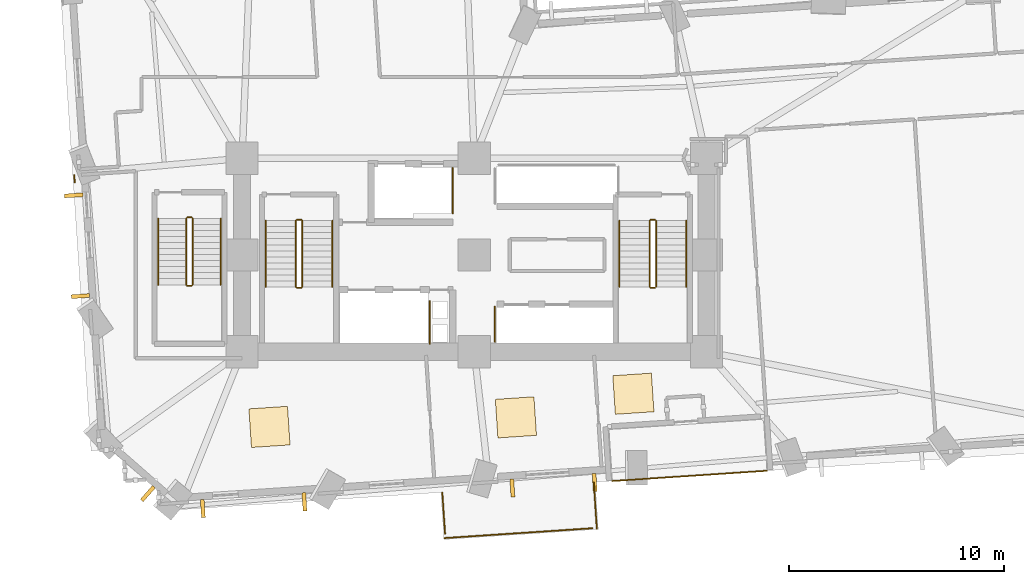
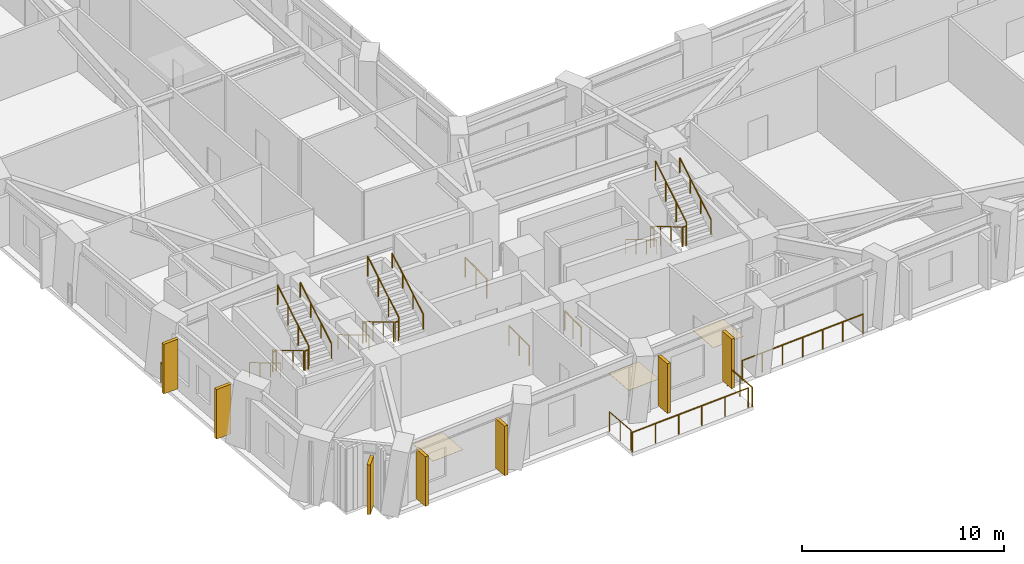
# One storey, part 11 of 14: 26 railings, 7 shading devices, 3 coverings.
"""IFC4 building model written with IfcOpenShell, lengths in metres."""

from ifc_helpers import new_model, si_unit, direction, frame, origin, origin_2d, place, context, subcontext, project, spatial, rectangle, circle, extrude, material, layer, layer_set, type_object, element, save


model = new_model("IFC4")

# Units and contexts
model_context = context("Model", 3, precision=1e-05, world=origin(), true_north=direction((0.0, 1.0)))
body_context = subcontext(model_context, "Body", "Model", "MODEL_VIEW")
ifc_project = project(units=[si_unit("LENGTHUNIT", "METRE"), si_unit("AREAUNIT", "SQUARE_METRE"), si_unit("VOLUMEUNIT", "CUBIC_METRE"), si_unit("PLANEANGLEUNIT", "RADIAN"), si_unit("MASSUNIT", "GRAM", prefix="KILO")], contexts=[model_context])

# Site, building, storey
site_placement = place(None, origin())
site = spatial("IfcSite", under=ifc_project, at=site_placement, CompositionType="ELEMENT")
building_placement = place(site_placement, origin())
building = spatial("IfcBuilding", under=site, at=building_placement, Name="Gaonmaruhae Medical Tower", CompositionType="ELEMENT")
storey_placement = place(building_placement, frame((0.0, 0.0, 39.0)))
storey = spatial("IfcBuildingStorey", under=building, at=storey_placement, Name="L08", CompositionType="ELEMENT", Elevation=39.0)

# Coverings
ifc_material_1 = material(Name="Seamless clinical vinyl flooring", Category="finish")
ifc_layer_1 = layer(ifc_material_1, 0.014892578125)
ifc_layer_set_1 = layer_set([ifc_layer_1], Name="Seamless clinical vinyl flooring")
covering_type = type_object("IfcCoveringType", Name="FLR-01 Seamless Clinical Antistatic Vinyl Flooring", PredefinedType="FLOORING", material=ifc_layer_set_1)
for number, where, z_axis, x_axis, name in (
    (1, (15.272705078125, 4.309326171875, 0.0), (0.0, 0.0, 1.0), (0.997801468292, 0.0662739004, 0.0), "L08 Clinical Room Vinyl Flooring 2"),
    (2, (26.7333984375, 4.752685546875, 0.0), (0.0, 0.0, 1.0), (0.997801468292, 0.0662739004, 0.0), "L08 Clinical Room Vinyl Flooring 3"),
    (3, (32.1962890625, 5.851806640625, 0.0), (0.0, 0.0, 1.0), (0.997801468292, 0.0662739004, 0.0), "L08 Clinical Room Vinyl Flooring 4"),
):
    element("IfcCovering", number, at=place(storey_placement, frame(where, z_axis=z_axis, x_axis=x_axis)), inside=storey, type_object=covering_type, Name=name, PredefinedType="FLOORING", context=body_context, shape_type="SweptSolid", body=[
        extrude(rectangle(XDim=1.800048828125, YDim=1.800048828125, at=origin_2d()), origin(), (0.0, 0.0, 1.0), 0.014892578125),
    ])

# Railings
ifc_material_2 = material(Name="Stainless steel 316L and laminated safety glass", Category="steel")
ifc_layer_2 = layer(ifc_material_2, 0.080078125)
ifc_layer_set_2 = layer_set([ifc_layer_2], Name="Stainless steel 316L and laminated safety glass")
railing_type_1 = type_object("IfcRailingType", Name="GD-120 Outdoor Terrace Safety Glass & Steel Balustrade", PredefinedType="BALUSTRADE", material=ifc_layer_set_2)
railing_1_placement = place(storey_placement, frame((31.22265625, 1.7919921875, 0.0)))
element("IfcRailing", 4, at=railing_1_placement, inside=storey, type_object=railing_type_1, Name="L08 Terrace Safety Guard RL-SLB-L08-TER-01", PredefinedType="BALUSTRADE", context=body_context, shape_type="SweptSolid", body=[
    extrude(circle(Radius=0.02392578125, at=origin_2d()), frame((0.0, 0.0, 1.17578125), z_axis=(0.997802528257, 0.066257939924, 0.0), x_axis=(-0.066257939924, 0.997802528257, 0.0)), (0.0, 0.0, 1.0), 7.199951171875),
    extrude(circle(Radius=0.02099609375, at=origin_2d()), origin(), (0.0, 0.0, 1.0), 1.15185546875),
    extrude(circle(Radius=0.02099609375, at=origin_2d()), frame((1.197265625, 0.07958984375, 0.0)), (0.0, 0.0, 1.0), 1.15185546875),
    extrude(circle(Radius=0.02099609375, at=origin_2d()), frame((2.394775390625, 0.158935546875, 0.0)), (0.0, 0.0, 1.0), 1.15185546875),
    extrude(circle(Radius=0.02099609375, at=origin_2d()), frame((3.592041015625, 0.238525390625, 0.0)), (0.0, 0.0, 1.0), 1.15185546875),
    extrude(circle(Radius=0.02099609375, at=origin_2d()), frame((4.789306640625, 0.318115234375, 0.0)), (0.0, 0.0, 1.0), 1.15185546875),
    extrude(circle(Radius=0.02099609375, at=origin_2d()), frame((5.98681640625, 0.3974609375, 0.0)), (0.0, 0.0, 1.0), 1.15185546875),
    extrude(circle(Radius=0.02099609375, at=origin_2d()), frame((7.18408203125, 0.47705078125, 0.0)), (0.0, 0.0, 1.0), 1.15185546875),
])
railing_2_placement = place(storey_placement, frame((6.214599609375, 15.67333984375, 0.0)))
element("IfcRailing", 5, at=railing_2_placement, inside=storey, type_object=railing_type_1, Name="L08 Perimeter Slab Edge Safety Balustrade 01", PredefinedType="BALUSTRADE", context=body_context, shape_type="SweptSolid", body=[
    extrude(circle(Radius=0.02392578125, at=origin_2d()), frame((0.0, 0.0, 1.17578125), z_axis=(-0.06608989052, 0.997813673173, 0.0), x_axis=(-0.997813673173, -0.06608989052, 0.0)), (0.0, 0.0, 1.0), 0.33984375),
    extrude(circle(Radius=0.02099609375, at=origin_2d()), origin(), (0.0, 0.0, 1.0), 1.15185546875),
    extrude(circle(Radius=0.02099609375, at=origin_2d()), frame((-0.0224609375, 0.339111328125, 0.0)), (0.0, 0.0, 1.0), 1.15185546875),
])
railing_3_placement = place(storey_placement, frame((30.35595703125, 1.714111328125, 0.0)))
element("IfcRailing", 6, at=railing_3_placement, inside=storey, type_object=railing_type_1, Name="L08 Perimeter Slab Edge Safety Balustrade 07", PredefinedType="BALUSTRADE", context=body_context, shape_type="SweptSolid", body=[
    extrude(circle(Radius=0.02392578125, at=origin_2d()), frame((0.0, 0.0, 1.17578125), z_axis=(0.066241409846, -0.997803625781, 0.0), x_axis=(0.997803625781, 0.066241409846, 0.0)), (0.0, 0.0, 1.0), 2.15966796875),
    extrude(circle(Radius=0.02099609375, at=origin_2d()), origin(), (0.0, 0.0, 1.0), 1.15185546875),
    extrude(circle(Radius=0.02099609375, at=origin_2d()), frame((0.071533203125, -1.07763671875, 0.0)), (0.0, 0.0, 1.0), 1.15185546875),
    extrude(circle(Radius=0.02099609375, at=origin_2d()), frame((0.14306640625, -2.155029296875, 0.0)), (0.0, 0.0, 1.0), 1.15185546875),
])
railing_4_placement = place(storey_placement, frame((30.294921875, -0.404296875, 0.0)))
element("IfcRailing", 7, at=railing_4_placement, inside=storey, type_object=railing_type_1, Name="L08 Perimeter Slab Edge Safety Balustrade 08", PredefinedType="BALUSTRADE", context=body_context, shape_type="SweptSolid", body=[
    extrude(circle(Radius=0.02392578125, at=origin_2d()), frame((0.0, 0.0, 1.17578125), z_axis=(-0.997800143229, -0.06629384717, 0.0), x_axis=(0.06629384717, -0.997800143229, 0.0)), (0.0, 0.0, 1.0), 6.90869140625),
    extrude(circle(Radius=0.02099609375, at=origin_2d()), origin(), (0.0, 0.0, 1.0), 1.15185546875),
    extrude(circle(Radius=0.02099609375, at=origin_2d()), frame((-1.378662109375, -0.091552734375, 0.0)), (0.0, 0.0, 1.0), 1.15185546875),
    extrude(circle(Radius=0.02099609375, at=origin_2d()), frame((-2.75732421875, -0.18310546875, 0.0)), (0.0, 0.0, 1.0), 1.15185546875),
    extrude(circle(Radius=0.02099609375, at=origin_2d()), frame((-4.13623046875, -0.27490234375, 0.0)), (0.0, 0.0, 1.0), 1.15185546875),
    extrude(circle(Radius=0.02099609375, at=origin_2d()), frame((-5.514892578125, -0.366455078125, 0.0)), (0.0, 0.0, 1.0), 1.15185546875),
    extrude(circle(Radius=0.02099609375, at=origin_2d()), frame((-6.8935546875, -0.4580078125, 0.0)), (0.0, 0.0, 1.0), 1.15185546875),
])
railing_5_placement = place(storey_placement, frame((23.438720703125, -0.6708984375, 0.0)))
element("IfcRailing", 8, at=railing_5_placement, inside=storey, type_object=railing_type_1, Name="L08 Perimeter Slab Edge Safety Balustrade 09", PredefinedType="BALUSTRADE", context=body_context, shape_type="SweptSolid", body=[
    extrude(circle(Radius=0.02392578125, at=origin_2d()), frame((0.0, 0.0, 1.17578125), z_axis=(-0.066325046792, 0.997798069836, 0.0), x_axis=(-0.997798069836, -0.066325046792, 0.0)), (0.0, 0.0, 1.0), 1.92138671875),
    extrude(circle(Radius=0.02099609375, at=origin_2d()), origin(), (0.0, 0.0, 1.0), 1.15185546875),
    extrude(circle(Radius=0.02099609375, at=origin_2d()), frame((-0.063720703125, 0.95849609375, 0.0)), (0.0, 0.0, 1.0), 1.15185546875),
    extrude(circle(Radius=0.02099609375, at=origin_2d()), frame((-0.12744140625, 1.917236328125, 0.0)), (0.0, 0.0, 1.0), 1.15185546875),
])
ifc_material_3 = material(Name="Stainless steel 304 handrail", Category="steel")
railing_type_2 = type_object("IfcRailingType", Name="HR-092 Continuous Stainless Steel Stair Handrail", PredefinedType="HANDRAIL", material=ifc_material_3)
railing_6_placement = place(storey_placement, frame((15.10009765625, 13.89990234375, 0.166748046875)))
element("IfcRailing", 9, at=railing_6_placement, inside=storey, type_object=railing_type_2, Name="L08 ST-01 stair handrail 1", PredefinedType="HANDRAIL", context=body_context, shape_type="SweptSolid", body=[
    extrude(circle(Radius=0.02392578125, at=origin_2d()), frame((0.0, 0.0, 0.8759765625), z_axis=(0.0, -0.859290745958, 0.51148745235), x_axis=(1.0, 0.0, 0.0)), (0.0, 0.0, 1.0), 3.584228515625),
    extrude(circle(Radius=0.02099609375, at=origin_2d()), origin(), (0.0, 0.0, 1.0), 0.851806640625),
    extrude(circle(Radius=0.02099609375, at=origin_2d()), frame((0.0, -1.026611328125, 0.611083984375)), (0.0, 0.0, 1.0), 0.851806640625),
    extrude(circle(Radius=0.02099609375, at=origin_2d()), frame((0.0, -2.05322265625, 1.22216796875)), (0.0, 0.0, 1.0), 0.851806640625),
    extrude(circle(Radius=0.02099609375, at=origin_2d()), frame((0.0, -3.079833984375, 1.833251953125)), (0.0, 0.0, 1.0), 0.851806640625),
])
railing_7_placement = place(storey_placement, frame((18.199951171875, 10.820068359375, 2.166748046875)))
element("IfcRailing", 10, at=railing_7_placement, inside=storey, type_object=railing_type_2, Name="L08 ST-01 stair handrail 2", PredefinedType="HANDRAIL", context=body_context, shape_type="SweptSolid", body=[
    extrude(circle(Radius=0.02392578125, at=origin_2d()), frame((0.0, 0.0, 0.8759765625), z_axis=(0.0, 0.859290745958, 0.51148745235), x_axis=(-1.0, 0.0, 0.0)), (0.0, 0.0, 1.0), 3.584228515625),
    extrude(circle(Radius=0.02099609375, at=origin_2d()), origin(), (0.0, 0.0, 1.0), 0.851806640625),
    extrude(circle(Radius=0.02099609375, at=origin_2d()), frame((0.0, 1.026611328125, 0.611083984375)), (0.0, 0.0, 1.0), 0.851806640625),
    extrude(circle(Radius=0.02099609375, at=origin_2d()), frame((0.0, 2.05322265625, 1.22216796875)), (0.0, 0.0, 1.0), 0.851806640625),
    extrude(circle(Radius=0.02099609375, at=origin_2d()), frame((0.0, 3.079833984375, 1.833251953125)), (0.0, 0.0, 1.0), 0.851806640625),
])
railing_8_placement = place(storey_placement, frame((31.550048828125, 13.89990234375, 0.166748046875)))
element("IfcRailing", 11, at=railing_8_placement, inside=storey, type_object=railing_type_2, Name="L08 ST-02 stair handrail 1", PredefinedType="HANDRAIL", context=body_context, shape_type="SweptSolid", body=[
    extrude(circle(Radius=0.02392578125, at=origin_2d()), frame((0.0, 0.0, 0.8759765625), z_axis=(0.0, -0.859290745958, 0.51148745235), x_axis=(1.0, 0.0, 0.0)), (0.0, 0.0, 1.0), 3.584228515625),
    extrude(circle(Radius=0.02099609375, at=origin_2d()), origin(), (0.0, 0.0, 1.0), 0.851806640625),
    extrude(circle(Radius=0.02099609375, at=origin_2d()), frame((0.0, -1.026611328125, 0.611083984375)), (0.0, 0.0, 1.0), 0.851806640625),
    extrude(circle(Radius=0.02099609375, at=origin_2d()), frame((0.0, -2.05322265625, 1.22216796875)), (0.0, 0.0, 1.0), 0.851806640625),
    extrude(circle(Radius=0.02099609375, at=origin_2d()), frame((0.0, -3.079833984375, 1.833251953125)), (0.0, 0.0, 1.0), 0.851806640625),
])
railing_9_placement = place(storey_placement, frame((34.64990234375, 10.820068359375, 2.166748046875)))
element("IfcRailing", 12, at=railing_9_placement, inside=storey, type_object=railing_type_2, Name="L08 ST-02 stair handrail 2", PredefinedType="HANDRAIL", context=body_context, shape_type="SweptSolid", body=[
    extrude(circle(Radius=0.02392578125, at=origin_2d()), frame((0.0, 0.0, 0.8759765625), z_axis=(0.0, 0.859290745958, 0.51148745235), x_axis=(-1.0, 0.0, 0.0)), (0.0, 0.0, 1.0), 3.584228515625),
    extrude(circle(Radius=0.02099609375, at=origin_2d()), origin(), (0.0, 0.0, 1.0), 0.851806640625),
    extrude(circle(Radius=0.02099609375, at=origin_2d()), frame((0.0, 1.026611328125, 0.611083984375)), (0.0, 0.0, 1.0), 0.851806640625),
    extrude(circle(Radius=0.02099609375, at=origin_2d()), frame((0.0, 2.05322265625, 1.22216796875)), (0.0, 0.0, 1.0), 0.851806640625),
    extrude(circle(Radius=0.02099609375, at=origin_2d()), frame((0.0, 3.079833984375, 1.833251953125)), (0.0, 0.0, 1.0), 0.851806640625),
])
railing_10_placement = place(storey_placement, frame((10.10009765625, 14.0, 0.166748046875)))
element("IfcRailing", 13, at=railing_10_placement, inside=storey, type_object=railing_type_2, Name="L08 ST-03 stair handrail 1", PredefinedType="HANDRAIL", context=body_context, shape_type="SweptSolid", body=[
    extrude(circle(Radius=0.02392578125, at=origin_2d()), frame((0.0, 0.0, 0.8759765625), z_axis=(0.0, -0.859308565015, 0.511457515432), x_axis=(1.0, 0.0, 0.0)), (0.0, 0.0, 1.0), 3.58447265625),
    extrude(circle(Radius=0.02099609375, at=origin_2d()), origin(), (0.0, 0.0, 1.0), 0.851806640625),
    extrude(circle(Radius=0.02099609375, at=origin_2d()), frame((0.0, -1.026611328125, 0.611083984375)), (0.0, 0.0, 1.0), 0.851806640625),
    extrude(circle(Radius=0.02099609375, at=origin_2d()), frame((0.0, -2.053466796875, 1.22216796875)), (0.0, 0.0, 1.0), 0.851806640625),
    extrude(circle(Radius=0.02099609375, at=origin_2d()), frame((0.0, -3.080078125, 1.833251953125)), (0.0, 0.0, 1.0), 0.851806640625),
])
railing_11_placement = place(storey_placement, frame((13.0, 10.919921875, 2.166748046875)))
element("IfcRailing", 14, at=railing_11_placement, inside=storey, type_object=railing_type_2, Name="L08 ST-03 stair handrail 2", PredefinedType="HANDRAIL", context=body_context, shape_type="SweptSolid", body=[
    extrude(circle(Radius=0.02392578125, at=origin_2d()), frame((0.0, 0.0, 0.8759765625), z_axis=(0.0, 0.859308565015, 0.511457515432), x_axis=(-1.0, 0.0, 0.0)), (0.0, 0.0, 1.0), 3.58447265625),
    extrude(circle(Radius=0.02099609375, at=origin_2d()), origin(), (0.0, 0.0, 1.0), 0.851806640625),
    extrude(circle(Radius=0.02099609375, at=origin_2d()), frame((0.0, 1.026611328125, 0.611083984375)), (0.0, 0.0, 1.0), 0.851806640625),
    extrude(circle(Radius=0.02099609375, at=origin_2d()), frame((0.0, 2.053466796875, 1.22216796875)), (0.0, 0.0, 1.0), 0.851806640625),
    extrude(circle(Radius=0.02099609375, at=origin_2d()), frame((0.0, 3.080078125, 1.833251953125)), (0.0, 0.0, 1.0), 0.851806640625),
])

# Shading devices
ifc_material_4 = material(Name="Pigmented coral precast concrete C45/55", Category="concrete")
shading_device_type = type_object("IfcShadingDeviceType", Name="SD-FIN1 Tower Vertical Coral Precast Shading Fin", PredefinedType="USERDEFINED", material=ifc_material_4)
for number, where, z_axis, x_axis, name in (
    (15, (16.896484375, 0.8251953125, 0.08251953125), (0.0, 0.0, 1.0), (-0.997801468292, -0.0662739004, 0.0), "L08 Vertical Coral Precast Shading Fin S01"),
    (16, (12.172607421875, 0.511474609375, 0.08251953125), (0.0, 0.0, 1.0), (-0.997801468292, -0.0662739004, 0.0), "L08 Vertical Coral Precast Shading Fin S01B"),
    (17, (30.3955078125, 1.721923828125, 0.08251953125), (0.0, 0.0, 1.0), (-0.997802624838, -0.066256485469, 0.0), "L08 Vertical Coral Precast Shading Fin S03"),
    (18, (26.568359375, 1.4677734375, 0.08251953125), (0.0, 0.0, 1.0), (-0.997802624838, -0.066256485469, 0.0), "L08 Vertical Coral Precast Shading Fin S03B"),
    (19, (6.480224609375, 10.391357421875, 0.08251953125), (0.0, 0.0, 1.0), (-0.066256485469, 0.997802624838, 0.0), "L08 Vertical Coral Precast Shading Fin W05"),
    (20, (6.1689453125, 15.078125, 0.08251953125), (0.0, 0.0, 1.0), (-0.066256485469, 0.997802624838, 0.0), "L08 Vertical Coral Precast Shading Fin W05B"),
    (21, (9.615478515625, 1.205078125, 0.08251953125), (0.0, 0.0, 1.0), (-0.752414908896, 0.658689460119, 0.0), "L08 Vertical Coral Precast Shading Fin W07"),
):
    element("IfcShadingDevice", number, at=place(storey_placement, frame(where, z_axis=z_axis, x_axis=x_axis)), inside=storey, type_object=shading_device_type, Name=name, ObjectType="FIN", PredefinedType="USERDEFINED", context=body_context, shape_type="SweptSolid", body=[
        extrude(rectangle(XDim=0.179931640625, YDim=0.85009765625, at=origin_2d()), origin(), (0.0, 0.0, 1.0), 3.0),
    ])

# Railings
ifc_material_5 = material(Name="Stainless steel 304 balustrade", Category="steel")
railing_type_3 = type_object("IfcRailingType", Name="SG-112 Stair Well & Ramp Void Safety Balustrade", PredefinedType="BALUSTRADE", material=ifc_material_5)
railing_12_placement = place(storey_placement, frame((16.5, 13.89990234375, 0.166748046875)))
element("IfcRailing", 22, at=railing_12_placement, inside=storey, type_object=railing_type_3, Name="L08 ST-01 stair guard 1", PredefinedType="BALUSTRADE", context=body_context, shape_type="SweptSolid", body=[
    extrude(circle(Radius=0.02392578125, at=origin_2d()), frame((0.0, 0.0, 1.17578125), z_axis=(0.0, -0.859290745958, 0.51148745235), x_axis=(1.0, 0.0, 0.0)), (0.0, 0.0, 1.0), 3.584228515625),
    extrude(circle(Radius=0.02099609375, at=origin_2d()), origin(), (0.0, 0.0, 1.0), 1.15185546875),
    extrude(circle(Radius=0.02099609375, at=origin_2d()), frame((0.0, -1.026611328125, 0.611083984375)), (0.0, 0.0, 1.0), 1.15185546875),
    extrude(circle(Radius=0.02099609375, at=origin_2d()), frame((0.0, -2.05322265625, 1.22216796875)), (0.0, 0.0, 1.0), 1.15185546875),
    extrude(circle(Radius=0.02099609375, at=origin_2d()), frame((0.0, -3.079833984375, 1.833251953125)), (0.0, 0.0, 1.0), 1.15185546875),
])
railing_13_placement = place(storey_placement, frame((16.550048828125, 10.77001953125, 2.0)))
element("IfcRailing", 23, at=railing_13_placement, inside=storey, type_object=railing_type_3, Name="L08 ST-01 stair guard 2", PredefinedType="BALUSTRADE", context=body_context, shape_type="SweptSolid", body=[
    extrude(circle(Radius=0.02392578125, at=origin_2d()), frame((0.0, 0.0, 1.17578125), z_axis=(1.0, 0.0, 0.0), x_axis=(0.0, 1.0, 0.0)), (0.0, 0.0, 1.0), 0.199951171875),
    extrude(circle(Radius=0.02099609375, at=origin_2d()), origin(), (0.0, 0.0, 1.0), 1.15185546875),
    extrude(circle(Radius=0.02099609375, at=origin_2d()), frame((0.199951171875, 0.0, 0.0)), (0.0, 0.0, 1.0), 1.15185546875),
])
railing_14_placement = place(storey_placement, frame((16.800048828125, 10.820068359375, 2.166748046875)))
element("IfcRailing", 24, at=railing_14_placement, inside=storey, type_object=railing_type_3, Name="L08 ST-01 stair guard 3", PredefinedType="BALUSTRADE", context=body_context, shape_type="SweptSolid", body=[
    extrude(circle(Radius=0.02392578125, at=origin_2d()), frame((0.0, 0.0, 1.17578125), z_axis=(0.0, 0.859290745958, 0.51148745235), x_axis=(-1.0, 0.0, 0.0)), (0.0, 0.0, 1.0), 3.584228515625),
    extrude(circle(Radius=0.02099609375, at=origin_2d()), origin(), (0.0, 0.0, 1.0), 1.15185546875),
    extrude(circle(Radius=0.02099609375, at=origin_2d()), frame((0.0, 1.026611328125, 0.611083984375)), (0.0, 0.0, 1.0), 1.15185546875),
    extrude(circle(Radius=0.02099609375, at=origin_2d()), frame((0.0, 2.05322265625, 1.22216796875)), (0.0, 0.0, 1.0), 1.15185546875),
    extrude(circle(Radius=0.02099609375, at=origin_2d()), frame((0.0, 3.079833984375, 1.833251953125)), (0.0, 0.0, 1.0), 1.15185546875),
])
railing_15_placement = place(storey_placement, frame((16.550048828125, 13.949951171875, 0.0)))
element("IfcRailing", 25, at=railing_15_placement, inside=storey, type_object=railing_type_3, Name="L08 ST-01 stair guard 4", PredefinedType="BALUSTRADE", context=body_context, shape_type="SweptSolid", body=[
    extrude(circle(Radius=0.02392578125, at=origin_2d()), frame((0.0, 0.0, 1.17578125), z_axis=(1.0, 0.0, 0.0), x_axis=(0.0, 1.0, 0.0)), (0.0, 0.0, 1.0), 0.199951171875),
    extrude(circle(Radius=0.02099609375, at=origin_2d()), origin(), (0.0, 0.0, 1.0), 1.15185546875),
    extrude(circle(Radius=0.02099609375, at=origin_2d()), frame((0.199951171875, 0.0, 0.0)), (0.0, 0.0, 1.0), 1.15185546875),
])
railing_16_placement = place(storey_placement, frame((32.949951171875, 13.89990234375, 0.166748046875)))
element("IfcRailing", 26, at=railing_16_placement, inside=storey, type_object=railing_type_3, Name="L08 ST-02 stair guard 1", PredefinedType="BALUSTRADE", context=body_context, shape_type="SweptSolid", body=[
    extrude(circle(Radius=0.02392578125, at=origin_2d()), frame((0.0, 0.0, 1.17578125), z_axis=(0.0, -0.859290745958, 0.51148745235), x_axis=(1.0, 0.0, 0.0)), (0.0, 0.0, 1.0), 3.584228515625),
    extrude(circle(Radius=0.02099609375, at=origin_2d()), origin(), (0.0, 0.0, 1.0), 1.15185546875),
    extrude(circle(Radius=0.02099609375, at=origin_2d()), frame((0.0, -1.026611328125, 0.611083984375)), (0.0, 0.0, 1.0), 1.15185546875),
    extrude(circle(Radius=0.02099609375, at=origin_2d()), frame((0.0, -2.05322265625, 1.22216796875)), (0.0, 0.0, 1.0), 1.15185546875),
    extrude(circle(Radius=0.02099609375, at=origin_2d()), frame((0.0, -3.079833984375, 1.833251953125)), (0.0, 0.0, 1.0), 1.15185546875),
])
railing_17_placement = place(storey_placement, frame((33.0, 10.77001953125, 2.0)))
element("IfcRailing", 27, at=railing_17_placement, inside=storey, type_object=railing_type_3, Name="L08 ST-02 stair guard 2", PredefinedType="BALUSTRADE", context=body_context, shape_type="SweptSolid", body=[
    extrude(circle(Radius=0.02392578125, at=origin_2d()), frame((0.0, 0.0, 1.17578125), z_axis=(1.0, 0.0, 0.0), x_axis=(0.0, 1.0, 0.0)), (0.0, 0.0, 1.0), 0.199951171875),
    extrude(circle(Radius=0.02099609375, at=origin_2d()), origin(), (0.0, 0.0, 1.0), 1.15185546875),
    extrude(circle(Radius=0.02099609375, at=origin_2d()), frame((0.199951171875, 0.0, 0.0)), (0.0, 0.0, 1.0), 1.15185546875),
])
railing_18_placement = place(storey_placement, frame((33.25, 10.820068359375, 2.166748046875)))
element("IfcRailing", 28, at=railing_18_placement, inside=storey, type_object=railing_type_3, Name="L08 ST-02 stair guard 3", PredefinedType="BALUSTRADE", context=body_context, shape_type="SweptSolid", body=[
    extrude(circle(Radius=0.02392578125, at=origin_2d()), frame((0.0, 0.0, 1.17578125), z_axis=(0.0, 0.859290745958, 0.51148745235), x_axis=(-1.0, 0.0, 0.0)), (0.0, 0.0, 1.0), 3.584228515625),
    extrude(circle(Radius=0.02099609375, at=origin_2d()), origin(), (0.0, 0.0, 1.0), 1.15185546875),
    extrude(circle(Radius=0.02099609375, at=origin_2d()), frame((0.0, 1.026611328125, 0.611083984375)), (0.0, 0.0, 1.0), 1.15185546875),
    extrude(circle(Radius=0.02099609375, at=origin_2d()), frame((0.0, 2.05322265625, 1.22216796875)), (0.0, 0.0, 1.0), 1.15185546875),
    extrude(circle(Radius=0.02099609375, at=origin_2d()), frame((0.0, 3.079833984375, 1.833251953125)), (0.0, 0.0, 1.0), 1.15185546875),
])
railing_19_placement = place(storey_placement, frame((33.0, 13.949951171875, 0.0)))
element("IfcRailing", 29, at=railing_19_placement, inside=storey, type_object=railing_type_3, Name="L08 ST-02 stair guard 4", PredefinedType="BALUSTRADE", context=body_context, shape_type="SweptSolid", body=[
    extrude(circle(Radius=0.02392578125, at=origin_2d()), frame((0.0, 0.0, 1.17578125), z_axis=(1.0, 0.0, 0.0), x_axis=(0.0, 1.0, 0.0)), (0.0, 0.0, 1.0), 0.199951171875),
    extrude(circle(Radius=0.02099609375, at=origin_2d()), origin(), (0.0, 0.0, 1.0), 1.15185546875),
    extrude(circle(Radius=0.02099609375, at=origin_2d()), frame((0.199951171875, 0.0, 0.0)), (0.0, 0.0, 1.0), 1.15185546875),
])
railing_20_placement = place(storey_placement, frame((11.39990234375, 14.0, 0.166748046875)))
element("IfcRailing", 30, at=railing_20_placement, inside=storey, type_object=railing_type_3, Name="L08 ST-03 stair guard 1", PredefinedType="BALUSTRADE", context=body_context, shape_type="SweptSolid", body=[
    extrude(circle(Radius=0.02392578125, at=origin_2d()), frame((0.0, 0.0, 1.17578125), z_axis=(0.0, -0.859308565015, 0.511457515432), x_axis=(1.0, 0.0, 0.0)), (0.0, 0.0, 1.0), 3.58447265625),
    extrude(circle(Radius=0.02099609375, at=origin_2d()), origin(), (0.0, 0.0, 1.0), 1.15185546875),
    extrude(circle(Radius=0.02099609375, at=origin_2d()), frame((0.0, -1.026611328125, 0.611083984375)), (0.0, 0.0, 1.0), 1.15185546875),
    extrude(circle(Radius=0.02099609375, at=origin_2d()), frame((0.0, -2.053466796875, 1.22216796875)), (0.0, 0.0, 1.0), 1.15185546875),
    extrude(circle(Radius=0.02099609375, at=origin_2d()), frame((0.0, -3.080078125, 1.833251953125)), (0.0, 0.0, 1.0), 1.15185546875),
])
railing_21_placement = place(storey_placement, frame((11.449951171875, 10.8701171875, 2.0)))
element("IfcRailing", 31, at=railing_21_placement, inside=storey, type_object=railing_type_3, Name="L08 ST-03 stair guard 2", PredefinedType="BALUSTRADE", context=body_context, shape_type="SweptSolid", body=[
    extrude(circle(Radius=0.02392578125, at=origin_2d()), frame((0.0, 0.0, 1.17578125), z_axis=(1.0, 0.0, 0.0), x_axis=(0.0, 1.0, 0.0)), (0.0, 0.0, 1.0), 0.199951171875),
    extrude(circle(Radius=0.02099609375, at=origin_2d()), origin(), (0.0, 0.0, 1.0), 1.15185546875),
    extrude(circle(Radius=0.02099609375, at=origin_2d()), frame((0.199951171875, 0.0, 0.0)), (0.0, 0.0, 1.0), 1.15185546875),
])
railing_22_placement = place(storey_placement, frame((11.699951171875, 10.919921875, 2.166748046875)))
element("IfcRailing", 32, at=railing_22_placement, inside=storey, type_object=railing_type_3, Name="L08 ST-03 stair guard 3", PredefinedType="BALUSTRADE", context=body_context, shape_type="SweptSolid", body=[
    extrude(circle(Radius=0.02392578125, at=origin_2d()), frame((0.0, 0.0, 1.17578125), z_axis=(0.0, 0.859308565015, 0.511457515432), x_axis=(-1.0, 0.0, 0.0)), (0.0, 0.0, 1.0), 3.58447265625),
    extrude(circle(Radius=0.02099609375, at=origin_2d()), origin(), (0.0, 0.0, 1.0), 1.15185546875),
    extrude(circle(Radius=0.02099609375, at=origin_2d()), frame((0.0, 1.026611328125, 0.611083984375)), (0.0, 0.0, 1.0), 1.15185546875),
    extrude(circle(Radius=0.02099609375, at=origin_2d()), frame((0.0, 2.053466796875, 1.22216796875)), (0.0, 0.0, 1.0), 1.15185546875),
    extrude(circle(Radius=0.02099609375, at=origin_2d()), frame((0.0, 3.080078125, 1.833251953125)), (0.0, 0.0, 1.0), 1.15185546875),
])
railing_23_placement = place(storey_placement, frame((11.449951171875, 14.050048828125, 0.0)))
element("IfcRailing", 33, at=railing_23_placement, inside=storey, type_object=railing_type_3, Name="L08 ST-03 stair guard 4", PredefinedType="BALUSTRADE", context=body_context, shape_type="SweptSolid", body=[
    extrude(circle(Radius=0.02392578125, at=origin_2d()), frame((0.0, 0.0, 1.17578125), z_axis=(1.0, 0.0, 0.0), x_axis=(0.0, 1.0, 0.0)), (0.0, 0.0, 1.0), 0.199951171875),
    extrude(circle(Radius=0.02099609375, at=origin_2d()), origin(), (0.0, 0.0, 1.0), 1.15185546875),
    extrude(circle(Radius=0.02099609375, at=origin_2d()), frame((0.199951171875, 0.0, 0.0)), (0.0, 0.0, 1.0), 1.15185546875),
])
railing_24_placement = place(storey_placement, frame((25.7548828125, 8.27001953125, 0.0)))
element("IfcRailing", 34, at=railing_24_placement, inside=storey, type_object=railing_type_3, Name="L08 Shaft Edge Safety Guard 10", PredefinedType="BALUSTRADE", context=body_context, shape_type="SweptSolid", body=[
    extrude(circle(Radius=0.02392578125, at=origin_2d()), frame((0.0, 0.0, 1.17578125), z_axis=(0.0, 1.0, 0.0), x_axis=(-1.0, 0.0, 0.0)), (0.0, 0.0, 1.0), 1.635009765625),
    extrude(circle(Radius=0.02099609375, at=origin_2d()), origin(), (0.0, 0.0, 1.0), 1.15185546875),
    extrude(circle(Radius=0.02099609375, at=origin_2d()), frame((0.0, 0.8173828125, 0.0)), (0.0, 0.0, 1.0), 1.15185546875),
    extrude(circle(Radius=0.02099609375, at=origin_2d()), frame((0.0, 1.635009765625, 0.0)), (0.0, 0.0, 1.0), 1.15185546875),
])
railing_25_placement = place(storey_placement, frame((22.719970703125, 10.159912109375, 0.0)))
element("IfcRailing", 35, at=railing_25_placement, inside=storey, type_object=railing_type_3, Name="L08 Shaft Edge Safety Guard 11", PredefinedType="BALUSTRADE", context=body_context, shape_type="SweptSolid", body=[
    extrude(circle(Radius=0.02392578125, at=origin_2d()), frame((0.0, 0.0, 1.17578125), z_axis=(0.0, -1.0, 0.0), x_axis=(1.0, 0.0, 0.0)), (0.0, 0.0, 1.0), 1.994873046875),
    extrude(circle(Radius=0.02099609375, at=origin_2d()), origin(), (0.0, 0.0, 1.0), 1.15185546875),
    extrude(circle(Radius=0.02099609375, at=origin_2d()), frame((0.0, -0.99755859375, 0.0)), (0.0, 0.0, 1.0), 1.15185546875),
    extrude(circle(Radius=0.02099609375, at=origin_2d()), frame((0.0, -1.994873046875, 0.0)), (0.0, 0.0, 1.0), 1.15185546875),
])
railing_26_placement = place(storey_placement, frame((23.794921875, 16.35498046875, 0.0)))
element("IfcRailing", 36, at=railing_26_placement, inside=storey, type_object=railing_type_3, Name="L08 Shaft Edge Safety Guard 12", PredefinedType="BALUSTRADE", context=body_context, shape_type="SweptSolid", body=[
    extrude(circle(Radius=0.02392578125, at=origin_2d()), frame((0.0, 0.0, 1.17578125), z_axis=(0.0, -1.0, 0.0), x_axis=(1.0, 0.0, 0.0)), (0.0, 0.0, 1.0), 2.10986328125),
    extrude(circle(Radius=0.02099609375, at=origin_2d()), origin(), (0.0, 0.0, 1.0), 1.15185546875),
    extrude(circle(Radius=0.02099609375, at=origin_2d()), frame((0.0, -1.054931640625, 0.0)), (0.0, 0.0, 1.0), 1.15185546875),
    extrude(circle(Radius=0.02099609375, at=origin_2d()), frame((0.0, -2.10986328125, 0.0)), (0.0, 0.0, 1.0), 1.15185546875),
])

save(model, "model.ifc")
